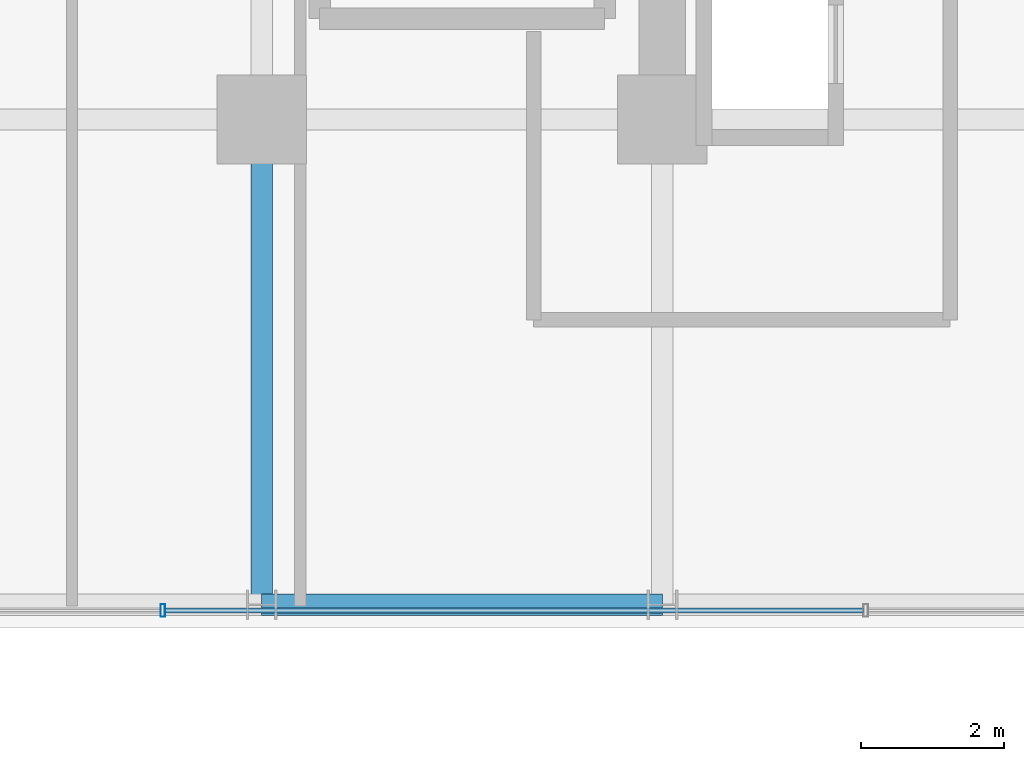
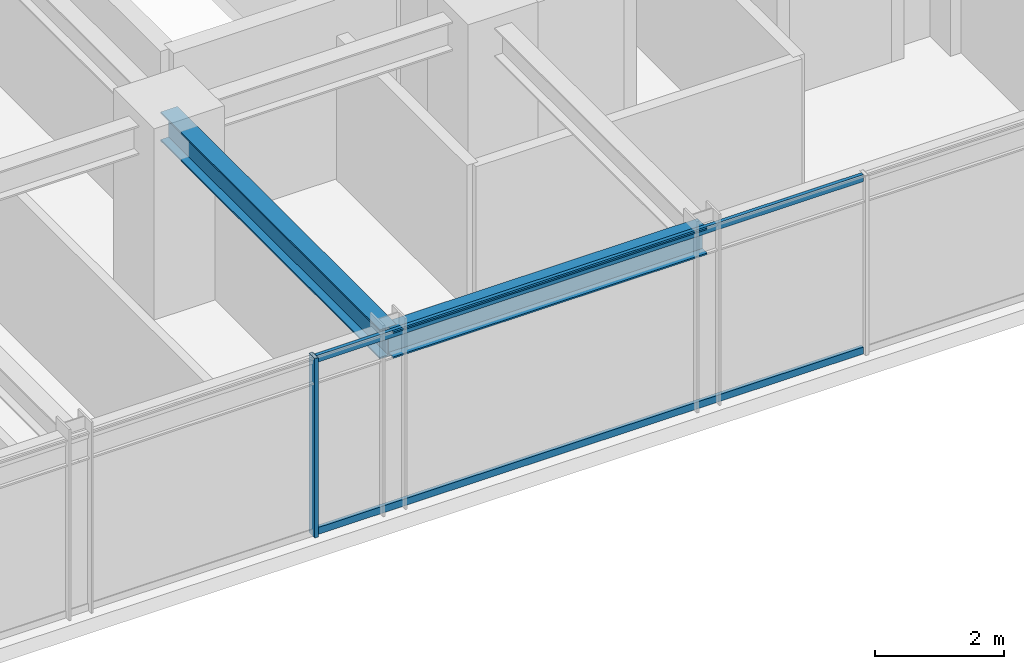
# One storey, part 5 of 33: 3 members, 2 beams, 1 element without a shape of its own.
"""IFC4 building model written with IfcOpenShell, lengths in metres."""

from ifc_helpers import new_model, si_unit, direction, frame, origin, origin_2d, place, context, subcontext, project, spatial, hollow_rectangle, i_section, extrude, source, transform, mapped, material, material_profile, profile_set, type_object, element, aggregate, save


model = new_model("IFC4")

# Units and contexts
model_context = context("Model", 3, precision=1e-05, world=origin(), true_north=direction((0.0, 1.0)))
body_context = subcontext(model_context, "Body", "Model", "MODEL_VIEW")
ifc_project = project(units=[si_unit("LENGTHUNIT", "METRE"), si_unit("AREAUNIT", "SQUARE_METRE"), si_unit("VOLUMEUNIT", "CUBIC_METRE"), si_unit("PLANEANGLEUNIT", "RADIAN"), si_unit("MASSUNIT", "GRAM", prefix="KILO")], contexts=[model_context])

# Site, building, storey
site_placement = place(None, origin())
site = spatial("IfcSite", under=ifc_project, at=site_placement, CompositionType="ELEMENT")
building_placement = place(site_placement, origin())
building = spatial("IfcBuilding", under=site, at=building_placement, Name="Nahalor Promenade Grand Hotel", CompositionType="ELEMENT")
storey_placement = place(building_placement, frame((0.0, 0.0, 132.10009765625)))
storey = spatial("IfcBuildingStorey", under=building, at=storey_placement, Name="L33", CompositionType="ELEMENT", Elevation=132.10009765625)

# Beams
ifc_material_1 = material(Name="Steel S355JR", Category="steel")
ifc_material_profile_1 = material_profile(ifc_material_1, i_section(OverallWidth=0.3, OverallDepth=0.5, WebThickness=0.0145, FlangeThickness=0.028, at=origin_2d()), Name="HEB 500")
ifc_profile_set_1 = profile_set([ifc_material_profile_1], Name="Steel S355JR")
beam_type_1 = type_object("IfcBeamType", Name="Beam-Spandrel-HEB500", PredefinedType="SPANDREL", material=ifc_profile_set_1)
shared_shape_1 = source(origin(), body_context, "Body", "SweptSolid", [
    extrude(i_section(OverallWidth=0.3, OverallDepth=0.5, WebThickness=0.0145, FlangeThickness=0.028, at=origin_2d()), origin(), (0.0, 0.0, 1.0), 5.599853515625),
])
beam_1_placement = place(storey_placement, frame((2.800048828125, -23.780029296875, 3.1298828125), z_axis=(1.0, 0.0, 0.0), x_axis=(0.0, 1.0, 0.0)))
element("IfcBeam", 1, at=beam_1_placement, inside=storey, type_object=beam_type_1, Name="BM-L33-SP-S-3", PredefinedType="SPANDREL", context=body_context, shape_type="MappedRepresentation", body=[
    mapped(shared_shape_1, transform((0.0, 0.0, 0.0), scale=1.0)),
])
ifc_material_profile_2 = material_profile(ifc_material_1, i_section(OverallWidth=0.3, OverallDepth=0.55, WebThickness=0.015, FlangeThickness=0.029, at=origin_2d()), Name="HEB 550")
ifc_profile_set_2 = profile_set([ifc_material_profile_2], Name="Steel S355JR")
beam_type_2 = type_object("IfcBeamType", Name="Beam-Girder-HEB550", PredefinedType="BEAM", material=ifc_profile_set_2)
shared_shape_2 = source(origin(), body_context, "Body", "SweptSolid", [
    extrude(i_section(OverallWidth=0.3, OverallDepth=0.55, WebThickness=0.015, FlangeThickness=0.029, at=origin_2d()), origin(), (0.0, 0.0, 1.0), 6.780029296875),
])
beam_2_placement = place(storey_placement, frame((2.800048828125, -23.780029296875, 3.10498046875), z_axis=(0.0, 1.0, 0.0), x_axis=(-1.0, 0.0, 0.0)))
element("IfcBeam", 2, at=beam_2_placement, inside=storey, type_object=beam_type_2, Name="BM-L33-GY-3-0", PredefinedType="BEAM", context=body_context, shape_type="MappedRepresentation", body=[
    mapped(shared_shape_2, transform((0.0, 0.0, 0.0), scale=1.0)),
])

# Curtain wall, members
ifc_material_2 = material(Name="Anodised Bronze Aluminium EN AW-6063 T6", Category="aluminium")
curtain_wall_type = type_object("IfcCurtainWallType", Name="CW2 Typical Hotel Flush Bronze Unitised Curtain Wall", PredefinedType="USERDEFINED", material=ifc_material_2)
curtain_wall_placement = place(storey_placement, origin())
curtain_wall = element("IfcCurtainWall", 3, at=curtain_wall_placement, inside=storey, type_object=curtain_wall_type, Name="L33 Curtain Wall CW-L33-S-3", ObjectType="UNITISED_CURTAIN_WALL", PredefinedType="USERDEFINED")
ifc_material_profile_3 = material_profile(ifc_material_2, hollow_rectangle(XDim=0.065, YDim=0.18, WallThickness=0.004, at=origin_2d()), Name="CWM 65x180x4")
ifc_profile_set_3 = profile_set([ifc_material_profile_3], Name="Anodised Bronze Aluminium EN AW-6063 T6")
member_type_1 = type_object("IfcMemberType", Name="CWM2 Typical Bronze Mullion 65x180", PredefinedType="MULLION", material=ifc_profile_set_3)
shared_shape_3 = source(origin(), body_context, "Body", "SweptSolid", [
    extrude(hollow_rectangle(XDim=0.065, YDim=0.18, WallThickness=0.004, at=origin_2d()), origin(), (0.0, 0.0, 1.0), 3.3798828125),
])
member_1_placement = place(storey_placement, frame((1.419921875, -23.860107421875, 0.0), z_axis=(0.0, 0.0, 1.0), x_axis=(1.0, 0.0, 0.0)))
member_1 = element("IfcMember", 4, at=member_1_placement, type_object=member_type_1, Name="CW-L33-S-3 Mullion 1", PredefinedType="MULLION", context=body_context, shape_type="MappedRepresentation", body=[
    mapped(shared_shape_3, transform((0.0, 0.0, 0.0), scale=1.0)),
])
ifc_material_profile_4 = material_profile(ifc_material_2, hollow_rectangle(XDim=0.065, YDim=0.13, WallThickness=0.004, at=origin_2d()), Name="CWT 65x130x4")
ifc_profile_set_4 = profile_set([ifc_material_profile_4], Name="Anodised Bronze Aluminium EN AW-6063 T6")
member_type_2 = type_object("IfcMemberType", Name="CWT2 Typical Bronze Transom 65x130", PredefinedType="USERDEFINED", material=ifc_profile_set_4)
shared_shape_4 = source(origin(), body_context, "Body", "SweptSolid", [
    extrude(hollow_rectangle(XDim=0.065, YDim=0.13, WallThickness=0.004, at=origin_2d()), origin(), (0.0, 0.0, 1.0), 9.755126953125),
])
member_2_placement = place(storey_placement, frame((1.452392578125, -23.860107421875, 0.06494140625), z_axis=(1.0, 0.0, 0.0), x_axis=(0.0, 1.0, 0.0)))
member_2 = element("IfcMember", 5, at=member_2_placement, type_object=member_type_2, Name="CW-L33-S-3 Transom 1-0", ObjectType="TRANSOM", PredefinedType="USERDEFINED", context=body_context, shape_type="MappedRepresentation", body=[
    mapped(shared_shape_4, transform((0.0, 0.0, 0.0), scale=1.0)),
])
member_3_placement = place(storey_placement, frame((1.452392578125, -23.860107421875, 3.31494140625), z_axis=(1.0, 0.0, 0.0), x_axis=(0.0, 1.0, 0.0)))
member_3 = element("IfcMember", 6, at=member_3_placement, type_object=member_type_2, Name="CW-L33-S-3 Transom 1-1", ObjectType="TRANSOM", PredefinedType="USERDEFINED", context=body_context, shape_type="MappedRepresentation", body=[
    mapped(shared_shape_4, transform((0.0, 0.0, 0.0), scale=1.0)),
])
aggregate(curtain_wall, [member_1, member_2, member_3])

save(model, "model.ifc")
